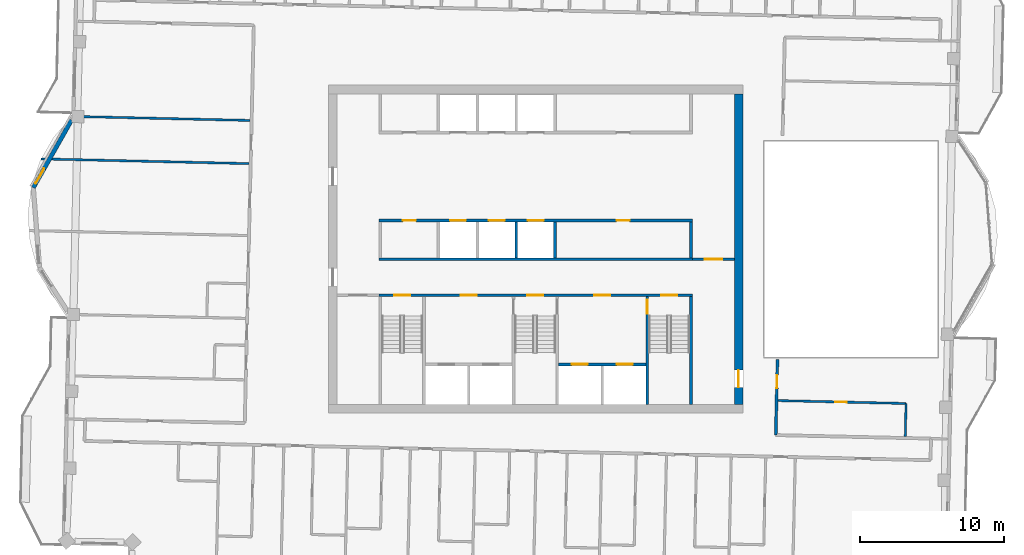
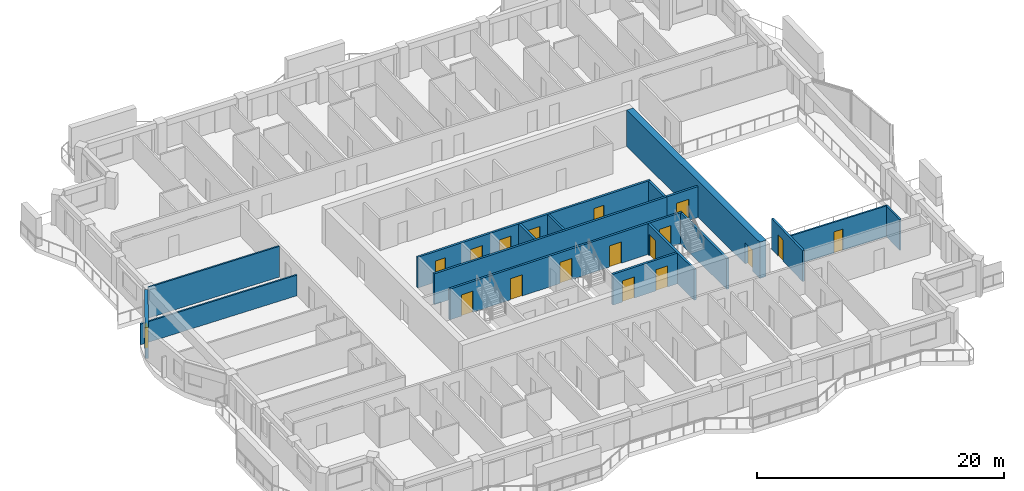
# One storey, part 7 of 15: 17 doors, 17 walls, 1 window, 18 openings.
"""IFC4 building model written with IfcOpenShell, lengths in metres."""

from ifc_helpers import new_model, si_unit, direction, frame, frame_2d, origin, place, context, subcontext, project, spatial, rectangle, extrude, material, layer, layer_set, type_object, element, fill, save


model = new_model("IFC4")

# Units and contexts
model_context = context("Model", 3, precision=1e-05, world=origin(), true_north=direction((0.0, 1.0)))
body_context = subcontext(model_context, "Body", "Model", "MODEL_VIEW")
ifc_project = project(units=[si_unit("LENGTHUNIT", "METRE"), si_unit("AREAUNIT", "SQUARE_METRE"), si_unit("VOLUMEUNIT", "CUBIC_METRE"), si_unit("PLANEANGLEUNIT", "RADIAN"), si_unit("MASSUNIT", "GRAM", prefix="KILO")], contexts=[model_context])

# Site, building, storey
site_placement = place(None, origin())
site = spatial("IfcSite", under=ifc_project, at=site_placement, CompositionType="ELEMENT")
building_placement = place(site_placement, origin())
building = spatial("IfcBuilding", under=site, at=building_placement, Name="Mangrove Gate Tower", CompositionType="ELEMENT")
storey_placement = place(building_placement, frame((0.0, 0.0, 320.5)))
storey = spatial("IfcBuildingStorey", under=building, at=storey_placement, Name="L82", CompositionType="ELEMENT", Elevation=320.5)

# Wall, opening, door
ifc_material_1 = material(Name="Concrete C32/40", Category="concrete")
ifc_layer_1 = layer(ifc_material_1, 0.199951171875)
ifc_layer_set_1 = layer_set([ifc_layer_1], Name="Core lobby wall 200 C32/40")
wall_type_1 = type_object("IfcWallType", Name="Core lobby wall 200 C32/40", PredefinedType="STANDARD", material=ifc_layer_set_1)
wall_1_placement = place(storey_placement, frame((10.89990234375, -0.699951171875, 0.0), z_axis=(0.0, 0.0, 1.0), x_axis=(1.0, 0.0, 0.0)))
wall_1 = element("IfcWall", 1, at=wall_1_placement, inside=storey, type_object=wall_type_1, Name="WALL-L82-CORE-32", PredefinedType="STANDARD", context=body_context, shape_type="SweptSolid", body=[
    extrude(rectangle(XDim=2.900146484375, YDim=0.199951171875, at=frame_2d((1.4501953125, 0.0))), origin(), (0.0, 0.0, 1.0), 3.050048828125),
])
opening_1_placement = place(wall_1_placement, frame((0.85009765625, 0.0, 0.0)))
opening_1 = element("IfcOpeningElement", 2, at=opening_1_placement, cuts=wall_1, Name="Opening FL12", PredefinedType="OPENING", context=body_context, shape_type="SweptSolid", body=[
    extrude(rectangle(XDim=1.199951171875, YDim=2.10009765625, at=frame_2d((0.60009765625, 1.050048828125))), frame((0.0, 0.10986328125, 0.0), z_axis=(0.0, -1.0, 0.0), x_axis=(1.0, 0.0, 0.0)), (0.0, 0.0, 1.0), 0.219970703125),
])
ifc_material_2 = material(Name="Fire-rated steel door set", Category="steel")
door_type_1 = type_object("IfcDoorType", Name="Lobby door FD60 1200x2100", OperationType="SINGLE_SWING_LEFT", PredefinedType="DOOR", material=ifc_material_2)
door_1_placement = place(opening_1_placement, origin())
door_1 = element("IfcDoor", 3, at=door_1_placement, inside=storey, type_object=door_type_1, Name="Lobby door core corridor E partition", OperationType="SINGLE_SWING_LEFT", OverallHeight=2.10009765625, OverallWidth=1.199951171875, PredefinedType="DOOR", context=body_context, shape_type="SweptSolid", body=[
    extrude(rectangle(XDim=1.199951171875, YDim=2.10009765625, at=frame_2d((0.60009765625, 1.050048828125))), frame((0.0, 0.02490234375, 0.0), z_axis=(0.0, -1.0, 0.0), x_axis=(1.0, 0.0, 0.0)), (0.0, 0.0, 1.0), 0.050048828125),
])
fill(opening_1, door_1)

# Walls
ifc_material_3 = material(Name="Concrete C32/40", Category="concrete")
ifc_layer_2 = layer(ifc_material_3, 0.199951171875)
ifc_layer_set_2 = layer_set([ifc_layer_2], Name="Core room wall 200 C32/40")
wall_type_2 = type_object("IfcWallType", Name="Core room wall 200 C32/40", PredefinedType="STANDARD", material=ifc_layer_set_2)
wall_2_placement = place(storey_placement, frame((10.800048828125, -0.60009765625, 0.0), z_axis=(0.0, 0.0, 1.0), x_axis=(0.0, 1.0, 0.0)))
element("IfcWall", 4, at=wall_2_placement, inside=storey, type_object=wall_type_2, Name="WALL-L82-CORE-24", PredefinedType="STANDARD", context=body_context, shape_type="SweptSolid", body=[
    extrude(rectangle(XDim=2.5, YDim=0.199951171875, at=frame_2d((1.25, 0.0))), origin(), (0.0, 0.0, 1.0), 3.050048828125),
])
ifc_material_4 = material(Name="Concrete C50/60", Category="concrete")
ifc_layer_3 = layer(ifc_material_4, 0.199951171875)
ifc_layer_set_3 = layer_set([ifc_layer_3], Name="Core shaft wall 200 C50/60")
wall_type_3 = type_object("IfcWallType", Name="Core shaft wall 200 C50/60", PredefinedType="SHEAR", material=ifc_layer_set_3)
wall_3_placement = place(storey_placement, frame((-10.89990234375, -0.699951171875, 0.0), z_axis=(0.0, 0.0, 1.0), x_axis=(1.0, 0.0, 0.0)))
element("IfcWall", 5, at=wall_3_placement, inside=storey, type_object=wall_type_3, Name="WALL-L82-CORE-6", PredefinedType="SHEAR", context=body_context, shape_type="SweptSolid", body=[
    extrude(rectangle(XDim=21.7998046875, YDim=0.199951171875, at=frame_2d((10.89990234375, 0.0))), origin(), (0.0, 0.0, 1.0), 3.050048828125),
])

# Wall, openings, doors
wall_4_placement = place(storey_placement, frame((-10.89990234375, 2.0, 0.0), z_axis=(0.0, 0.0, 1.0), x_axis=(1.0, 0.0, 0.0)))
wall_4 = element("IfcWall", 6, at=wall_4_placement, inside=storey, type_object=wall_type_3, Name="WALL-L82-CORE-7", PredefinedType="SHEAR", context=body_context, shape_type="SweptSolid", body=[
    extrude(rectangle(XDim=21.7998046875, YDim=0.199951171875, at=frame_2d((10.89990234375, 0.0))), origin(), (0.0, 0.0, 1.0), 3.050048828125),
])
opening_2_placement = place(wall_4_placement, frame((4.949951171875, 0.0, 0.0)))
opening_2 = element("IfcOpeningElement", 7, at=opening_2_placement, cuts=wall_4, Name="Opening LD", PredefinedType="OPENING", context=body_context, shape_type="SweptSolid", body=[
    extrude(rectangle(XDim=1.10009765625, YDim=2.10009765625, at=frame_2d((0.550048828125, 1.050048828125))), frame((0.0, 0.10986328125, 0.0), z_axis=(0.0, -1.0, 0.0), x_axis=(1.0, 0.0, 0.0)), (0.0, 0.0, 1.0), 0.219970703125),
])
opening_3_placement = place(wall_4_placement, frame((7.64990234375, 0.0, 0.0)))
opening_3 = element("IfcOpeningElement", 8, at=opening_3_placement, cuts=wall_4, Name="Opening LD", PredefinedType="OPENING", context=body_context, shape_type="SweptSolid", body=[
    extrude(rectangle(XDim=1.10009765625, YDim=2.10009765625, at=frame_2d((0.550048828125, 1.050048828125))), frame((0.0, 0.10986328125, 0.0), z_axis=(0.0, -1.0, 0.0), x_axis=(1.0, 0.0, 0.0)), (0.0, 0.0, 1.0), 0.219970703125),
])
opening_4_placement = place(wall_4_placement, frame((10.35009765625, 0.0, 0.0)))
opening_4 = element("IfcOpeningElement", 9, at=opening_4_placement, cuts=wall_4, Name="Opening LD", PredefinedType="OPENING", context=body_context, shape_type="SweptSolid", body=[
    extrude(rectangle(XDim=1.10009765625, YDim=2.10009765625, at=frame_2d((0.550048828125, 1.050048828125))), frame((0.0, 0.10986328125, 0.0), z_axis=(0.0, -1.0, 0.0), x_axis=(1.0, 0.0, 0.0)), (0.0, 0.0, 1.0), 0.219970703125),
])
opening_5_placement = place(wall_4_placement, frame((1.675048828125, 0.0, 0.0)))
opening_5 = element("IfcOpeningElement", 10, at=opening_5_placement, cuts=wall_4, Name="Opening KD", PredefinedType="OPENING", context=body_context, shape_type="SweptSolid", body=[
    extrude(rectangle(XDim=0.89990234375, YDim=2.10009765625, at=frame_2d((0.449951171875, 1.050048828125))), frame((0.0, 0.10986328125, 0.0), z_axis=(0.0, -1.0, 0.0), x_axis=(1.0, 0.0, 0.0)), (0.0, 0.0, 1.0), 0.219970703125),
])
opening_6_placement = place(wall_4_placement, frame((16.52490234375, 0.0, 0.0)))
opening_6 = element("IfcOpeningElement", 11, at=opening_6_placement, cuts=wall_4, Name="Opening RD", PredefinedType="OPENING", context=body_context, shape_type="SweptSolid", body=[
    extrude(rectangle(XDim=0.89990234375, YDim=2.10009765625, at=frame_2d((0.449951171875, 1.050048828125))), frame((0.0, 0.10986328125, 0.0), z_axis=(0.0, -1.0, 0.0), x_axis=(1.0, 0.0, 0.0)), (0.0, 0.0, 1.0), 0.219970703125),
])
ifc_material_5 = material(Name="Fire-rated steel door set", Category="steel")
door_type_2 = type_object("IfcDoorType", Name="Core room door FD30S 900x2100", OperationType="SINGLE_SWING_RIGHT", PredefinedType="DOOR", material=ifc_material_5)
door_2_placement = place(opening_5_placement, origin())
door_2 = element("IfcDoor", 12, at=door_2_placement, inside=storey, type_object=door_type_2, Name="Core room door Linen store", OperationType="SINGLE_SWING_RIGHT", OverallHeight=2.10009765625, OverallWidth=0.89990234375, PredefinedType="DOOR", context=body_context, shape_type="SweptSolid", body=[
    extrude(rectangle(XDim=0.89990234375, YDim=2.10009765625, at=frame_2d((0.449951171875, 1.050048828125))), frame((0.0, 0.02490234375, 0.0), z_axis=(0.0, -1.0, 0.0), x_axis=(1.0, 0.0, 0.0)), (0.0, 0.0, 1.0), 0.050048828125),
])
fill(opening_5, door_2)
ifc_material_6 = material(Name="Stainless steel 316", Category="steel")
door_type_3 = type_object("IfcDoorType", Name="Lift landing door 1100x2100", OperationType="SLIDING_TO_LEFT", PredefinedType="DOOR", material=ifc_material_6)
door_3_placement = place(opening_2_placement, origin())
door_3 = element("IfcDoor", 13, at=door_3_placement, inside=storey, type_object=door_type_3, Name="Landing door LD H01", OperationType="SLIDING_TO_LEFT", OverallHeight=2.10009765625, OverallWidth=1.10009765625, PredefinedType="DOOR", context=body_context, shape_type="SweptSolid", body=[
    extrude(rectangle(XDim=1.10009765625, YDim=2.10009765625, at=frame_2d((0.550048828125, 1.050048828125))), frame((0.0, 0.02490234375, 0.0), z_axis=(0.0, -1.0, 0.0), x_axis=(1.0, 0.0, 0.0)), (0.0, 0.0, 1.0), 0.050048828125),
])
fill(opening_2, door_3)
door_4_placement = place(opening_3_placement, origin())
door_4 = element("IfcDoor", 14, at=door_4_placement, inside=storey, type_object=door_type_3, Name="Landing door LD H02", OperationType="SLIDING_TO_LEFT", OverallHeight=2.10009765625, OverallWidth=1.10009765625, PredefinedType="DOOR", context=body_context, shape_type="SweptSolid", body=[
    extrude(rectangle(XDim=1.10009765625, YDim=2.10009765625, at=frame_2d((0.550048828125, 1.050048828125))), frame((0.0, 0.02490234375, 0.0), z_axis=(0.0, -1.0, 0.0), x_axis=(1.0, 0.0, 0.0)), (0.0, 0.0, 1.0), 0.050048828125),
])
fill(opening_3, door_4)
door_5_placement = place(opening_4_placement, origin())
door_5 = element("IfcDoor", 15, at=door_5_placement, inside=storey, type_object=door_type_3, Name="Landing door LD H03", OperationType="SLIDING_TO_LEFT", OverallHeight=2.10009765625, OverallWidth=1.10009765625, PredefinedType="DOOR", context=body_context, shape_type="SweptSolid", body=[
    extrude(rectangle(XDim=1.10009765625, YDim=2.10009765625, at=frame_2d((0.550048828125, 1.050048828125))), frame((0.0, 0.02490234375, 0.0), z_axis=(0.0, -1.0, 0.0), x_axis=(1.0, 0.0, 0.0)), (0.0, 0.0, 1.0), 0.050048828125),
])
fill(opening_4, door_5)
ifc_material_7 = material(Name="Fire-rated steel door set", Category="steel")
door_type_4 = type_object("IfcDoorType", Name="Riser door FD30S 900x2100", OperationType="SINGLE_SWING_LEFT", PredefinedType="DOOR", material=ifc_material_7)
door_6_placement = place(opening_6_placement, origin())
door_6 = element("IfcDoor", 16, at=door_6_placement, inside=storey, type_object=door_type_4, Name="Riser door Switch room", OperationType="SINGLE_SWING_LEFT", OverallHeight=2.10009765625, OverallWidth=0.89990234375, PredefinedType="DOOR", context=body_context, shape_type="SweptSolid", body=[
    extrude(rectangle(XDim=0.89990234375, YDim=2.10009765625, at=frame_2d((0.449951171875, 1.050048828125))), frame((0.0, 0.02490234375, 0.0), z_axis=(0.0, -1.0, 0.0), x_axis=(1.0, 0.0, 0.0)), (0.0, 0.0, 1.0), 0.050048828125),
])
fill(opening_6, door_6)

wall_5_placement = place(storey_placement, frame((1.60009765625, -8.0, 0.0), z_axis=(0.0, 0.0, 1.0), x_axis=(1.0, 0.0, 0.0)))
wall_5 = element("IfcWall", 17, at=wall_5_placement, inside=storey, type_object=wall_type_3, Name="WALL-L82-CORE-17", PredefinedType="SHEAR", context=body_context, shape_type="SweptSolid", body=[
    extrude(rectangle(XDim=6.0498046875, YDim=0.199951171875, at=frame_2d((3.02490234375, 0.0))), origin(), (0.0, 0.0, 1.0), 3.050048828125),
])
opening_7_placement = place(wall_5_placement, frame((0.91259765625, 0.0, 0.0)))
opening_7 = element("IfcOpeningElement", 18, at=opening_7_placement, cuts=wall_5, Name="Opening LD", PredefinedType="OPENING", context=body_context, shape_type="SweptSolid", body=[
    extrude(rectangle(XDim=1.10009765625, YDim=2.10009765625, at=frame_2d((0.550048828125, 1.050048828125))), frame((0.0, 0.10986328125, 0.0), z_axis=(0.0, -1.0, 0.0), x_axis=(1.0, 0.0, 0.0)), (0.0, 0.0, 1.0), 0.219970703125),
])
opening_8_placement = place(wall_5_placement, frame((4.03759765625, 0.0, 0.0)))
opening_8 = element("IfcOpeningElement", 19, at=opening_8_placement, cuts=wall_5, Name="Opening LD", PredefinedType="OPENING", context=body_context, shape_type="SweptSolid", body=[
    extrude(rectangle(XDim=1.10009765625, YDim=2.10009765625, at=frame_2d((0.550048828125, 1.050048828125))), frame((0.0, 0.10986328125, 0.0), z_axis=(0.0, -1.0, 0.0), x_axis=(1.0, 0.0, 0.0)), (0.0, 0.0, 1.0), 0.219970703125),
])
door_7_placement = place(opening_7_placement, origin())
door_7 = element("IfcDoor", 20, at=door_7_placement, inside=storey, type_object=door_type_3, Name="Landing door LD FFL1", OperationType="SLIDING_TO_LEFT", OverallHeight=2.10009765625, OverallWidth=1.10009765625, PredefinedType="DOOR", context=body_context, shape_type="SweptSolid", body=[
    extrude(rectangle(XDim=1.10009765625, YDim=2.10009765625, at=frame_2d((0.550048828125, 1.050048828125))), frame((0.0, 0.02490234375, 0.0), z_axis=(0.0, -1.0, 0.0), x_axis=(1.0, 0.0, 0.0)), (0.0, 0.0, 1.0), 0.050048828125),
])
fill(opening_7, door_7)
door_8_placement = place(opening_8_placement, origin())
door_8 = element("IfcDoor", 21, at=door_8_placement, inside=storey, type_object=door_type_3, Name="Landing door LD FFL2", OperationType="SLIDING_TO_LEFT", OverallHeight=2.10009765625, OverallWidth=1.10009765625, PredefinedType="DOOR", context=body_context, shape_type="SweptSolid", body=[
    extrude(rectangle(XDim=1.10009765625, YDim=2.10009765625, at=frame_2d((0.550048828125, 1.050048828125))), frame((0.0, 0.02490234375, 0.0), z_axis=(0.0, -1.0, 0.0), x_axis=(1.0, 0.0, 0.0)), (0.0, 0.0, 1.0), 0.050048828125),
])
fill(opening_8, door_8)

# Walls
for number, where, z_axis, x_axis, name in (
    (22, (-1.35009765625, -0.60009765625, 0.0), (0.0, 0.0, 1.0), (0.0, 1.0, 0.0), "WALL-L82-CORE-22"),
    (23, (1.35009765625, -0.60009765625, 0.0), (0.0, 0.0, 1.0), (0.0, 1.0, 0.0), "WALL-L82-CORE-23"),
):
    element("IfcWall", number, at=place(storey_placement, frame(where, z_axis=z_axis, x_axis=x_axis)), inside=storey, type_object=wall_type_3, Name=name, PredefinedType="SHEAR", context=body_context, shape_type="SweptSolid", body=[
        extrude(rectangle(XDim=2.5, YDim=0.199951171875, at=frame_2d((1.25, 0.0))), origin(), (0.0, 0.0, 1.0), 3.050048828125),
    ])

# Wall, openings, doors
ifc_material_8 = material(Name="Concrete C50/60", Category="concrete")
ifc_layer_4 = layer(ifc_material_8, 0.199951171875)
ifc_layer_set_4 = layer_set([ifc_layer_4], Name="Core stair wall 200 C50/60")
wall_type_4 = type_object("IfcWallType", Name="Core stair wall 200 C50/60", PredefinedType="SHEAR", material=ifc_layer_set_4)
wall_6_placement = place(storey_placement, frame((-10.89990234375, -3.199951171875, 0.0), z_axis=(0.0, 0.0, 1.0), x_axis=(1.0, 0.0, 0.0)))
wall_6 = element("IfcWall", 24, at=wall_6_placement, inside=storey, type_object=wall_type_4, Name="WALL-L82-CORE-5", PredefinedType="SHEAR", context=body_context, shape_type="SweptSolid", body=[
    extrude(rectangle(XDim=21.7998046875, YDim=0.199951171875, at=frame_2d((10.89990234375, 0.0))), origin(), (0.0, 0.0, 1.0), 3.050048828125),
])
opening_9_placement = place(wall_6_placement, frame((1.074951171875, 0.0, 0.0)))
opening_9 = element("IfcOpeningElement", 25, at=opening_9_placement, cuts=wall_6, Name="Opening STD11", PredefinedType="OPENING", context=body_context, shape_type="SweptSolid", body=[
    extrude(rectangle(XDim=1.10009765625, YDim=2.10009765625, at=frame_2d((0.550048828125, 1.050048828125))), frame((0.0, 0.10986328125, 0.0), z_axis=(0.0, -1.0, 0.0), x_axis=(1.0, 0.0, 0.0)), (0.0, 0.0, 1.0), 0.219970703125),
])
opening_10_placement = place(wall_6_placement, frame((10.324951171875, 0.0, 0.0)))
opening_10 = element("IfcOpeningElement", 26, at=opening_10_placement, cuts=wall_6, Name="Opening STD11", PredefinedType="OPENING", context=body_context, shape_type="SweptSolid", body=[
    extrude(rectangle(XDim=1.10009765625, YDim=2.10009765625, at=frame_2d((0.550048828125, 1.050048828125))), frame((0.0, 0.10986328125, 0.0), z_axis=(0.0, -1.0, 0.0), x_axis=(1.0, 0.0, 0.0)), (0.0, 0.0, 1.0), 0.219970703125),
])
opening_11_placement = place(wall_6_placement, frame((19.625, 0.0, 0.0)))
opening_11 = element("IfcOpeningElement", 27, at=opening_11_placement, cuts=wall_6, Name="Opening STD11", PredefinedType="OPENING", context=body_context, shape_type="SweptSolid", body=[
    extrude(rectangle(XDim=1.10009765625, YDim=2.10009765625, at=frame_2d((0.550048828125, 1.050048828125))), frame((0.0, 0.10986328125, 0.0), z_axis=(0.0, -1.0, 0.0), x_axis=(1.0, 0.0, 0.0)), (0.0, 0.0, 1.0), 0.219970703125),
])
opening_12_placement = place(wall_6_placement, frame((5.699951171875, 0.0, 0.0)))
opening_12 = element("IfcOpeningElement", 28, at=opening_12_placement, cuts=wall_6, Name="Opening FL", PredefinedType="OPENING", context=body_context, shape_type="SweptSolid", body=[
    extrude(rectangle(XDim=1.10009765625, YDim=2.10009765625, at=frame_2d((0.550048828125, 1.050048828125))), frame((0.0, 0.10986328125, 0.0), z_axis=(0.0, -1.0, 0.0), x_axis=(1.0, 0.0, 0.0)), (0.0, 0.0, 1.0), 0.219970703125),
])
opening_13_placement = place(wall_6_placement, frame((14.97509765625, 0.0, 0.0)))
opening_13 = element("IfcOpeningElement", 29, at=opening_13_placement, cuts=wall_6, Name="Opening FL", PredefinedType="OPENING", context=body_context, shape_type="SweptSolid", body=[
    extrude(rectangle(XDim=1.10009765625, YDim=2.10009765625, at=frame_2d((0.550048828125, 1.050048828125))), frame((0.0, 0.10986328125, 0.0), z_axis=(0.0, -1.0, 0.0), x_axis=(1.0, 0.0, 0.0)), (0.0, 0.0, 1.0), 0.219970703125),
])
ifc_material_9 = material(Name="Fire-rated steel door set", Category="steel")
door_type_5 = type_object("IfcDoorType", Name="Lobby door FD60 1100x2100", OperationType="SINGLE_SWING_LEFT", PredefinedType="DOOR", material=ifc_material_9)
door_9_placement = place(opening_12_placement, origin())
door_9 = element("IfcDoor", 30, at=door_9_placement, inside=storey, type_object=door_type_5, Name="Lobby door service lobby", OperationType="SINGLE_SWING_LEFT", OverallHeight=2.10009765625, OverallWidth=1.10009765625, PredefinedType="DOOR", context=body_context, shape_type="SweptSolid", body=[
    extrude(rectangle(XDim=1.10009765625, YDim=2.10009765625, at=frame_2d((0.550048828125, 1.050048828125))), frame((0.0, 0.02490234375, 0.0), z_axis=(0.0, -1.0, 0.0), x_axis=(1.0, 0.0, 0.0)), (0.0, 0.0, 1.0), 0.050048828125),
])
fill(opening_12, door_9)
door_10_placement = place(opening_13_placement, origin())
door_10 = element("IfcDoor", 31, at=door_10_placement, inside=storey, type_object=door_type_5, Name="Lobby door fire-fighting lobby", OperationType="SINGLE_SWING_LEFT", OverallHeight=2.10009765625, OverallWidth=1.10009765625, PredefinedType="DOOR", context=body_context, shape_type="SweptSolid", body=[
    extrude(rectangle(XDim=1.10009765625, YDim=2.10009765625, at=frame_2d((0.550048828125, 1.050048828125))), frame((0.0, 0.02490234375, 0.0), z_axis=(0.0, -1.0, 0.0), x_axis=(1.0, 0.0, 0.0)), (0.0, 0.0, 1.0), 0.050048828125),
])
fill(opening_13, door_10)
ifc_material_10 = material(Name="Fire-rated steel door set", Category="steel")
door_type_6 = type_object("IfcDoorType", Name="Stair door FD60 1100x2100", OperationType="SINGLE_SWING_RIGHT", PredefinedType="DOOR", material=ifc_material_10)
door_11_placement = place(opening_9_placement, origin())
door_11 = element("IfcDoor", 32, at=door_11_placement, inside=storey, type_object=door_type_6, Name="Stair door Stair 1", OperationType="SINGLE_SWING_RIGHT", OverallHeight=2.10009765625, OverallWidth=1.10009765625, PredefinedType="DOOR", context=body_context, shape_type="SweptSolid", body=[
    extrude(rectangle(XDim=1.10009765625, YDim=2.10009765625, at=frame_2d((0.550048828125, 1.050048828125))), frame((0.0, 0.02490234375, 0.0), z_axis=(0.0, -1.0, 0.0), x_axis=(1.0, 0.0, 0.0)), (0.0, 0.0, 1.0), 0.050048828125),
])
fill(opening_9, door_11)
door_12_placement = place(opening_10_placement, origin())
door_12 = element("IfcDoor", 33, at=door_12_placement, inside=storey, type_object=door_type_6, Name="Stair door Stair 2", OperationType="SINGLE_SWING_RIGHT", OverallHeight=2.10009765625, OverallWidth=1.10009765625, PredefinedType="DOOR", context=body_context, shape_type="SweptSolid", body=[
    extrude(rectangle(XDim=1.10009765625, YDim=2.10009765625, at=frame_2d((0.550048828125, 1.050048828125))), frame((0.0, 0.02490234375, 0.0), z_axis=(0.0, -1.0, 0.0), x_axis=(1.0, 0.0, 0.0)), (0.0, 0.0, 1.0), 0.050048828125),
])
fill(opening_10, door_12)
door_13_placement = place(opening_11_placement, origin())
door_13 = element("IfcDoor", 34, at=door_13_placement, inside=storey, type_object=door_type_6, Name="Stair door Stair 3", OperationType="SINGLE_SWING_RIGHT", OverallHeight=2.10009765625, OverallWidth=1.10009765625, PredefinedType="DOOR", context=body_context, shape_type="SweptSolid", body=[
    extrude(rectangle(XDim=1.10009765625, YDim=2.10009765625, at=frame_2d((0.550048828125, 1.050048828125))), frame((0.0, 0.02490234375, 0.0), z_axis=(0.0, -1.0, 0.0), x_axis=(1.0, 0.0, 0.0)), (0.0, 0.0, 1.0), 0.050048828125),
])
fill(opening_11, door_13)

# Wall, opening, door
wall_7_placement = place(storey_placement, frame((7.75, -10.800048828125, 0.0), z_axis=(0.0, 0.0, 1.0), x_axis=(0.0, 1.0, 0.0)))
wall_7 = element("IfcWall", 35, at=wall_7_placement, inside=storey, type_object=wall_type_4, Name="WALL-L82-CORE-13", PredefinedType="SHEAR", context=body_context, shape_type="SweptSolid", body=[
    extrude(rectangle(XDim=7.5, YDim=0.199951171875, at=frame_2d((3.75, 0.0))), origin(), (0.0, 0.0, 1.0), 3.050048828125),
])
opening_14_placement = place(wall_7_placement, frame((6.300048828125, 0.0, 0.0)))
opening_14 = element("IfcOpeningElement", 36, at=opening_14_placement, cuts=wall_7, Name="Opening STD10", PredefinedType="OPENING", context=body_context, shape_type="SweptSolid", body=[
    extrude(rectangle(XDim=1.0, YDim=2.10009765625, at=frame_2d((0.5, 1.050048828125))), frame((0.0, 0.10986328125, 0.0), z_axis=(0.0, -1.0, 0.0), x_axis=(1.0, 0.0, 0.0)), (0.0, 0.0, 1.0), 0.219970703125),
])
ifc_material_11 = material(Name="Fire-rated steel door set", Category="steel")
door_type_7 = type_object("IfcDoorType", Name="Stair door FD60 1000x2100", OperationType="SINGLE_SWING_RIGHT", PredefinedType="DOOR", material=ifc_material_11)
door_14_placement = place(opening_14_placement, origin())
door_14 = element("IfcDoor", 37, at=door_14_placement, inside=storey, type_object=door_type_7, Name="Stair door Stair 3 from fire-fighting lobby", OperationType="SINGLE_SWING_RIGHT", OverallHeight=2.10009765625, OverallWidth=1.0, PredefinedType="DOOR", context=body_context, shape_type="SweptSolid", body=[
    extrude(rectangle(XDim=1.0, YDim=2.10009765625, at=frame_2d((0.5, 1.050048828125))), frame((0.0, 0.02490234375, 0.0), z_axis=(0.0, -1.0, 0.0), x_axis=(1.0, 0.0, 0.0)), (0.0, 0.0, 1.0), 0.050048828125),
])
fill(opening_14, door_14)

# Wall
wall_8_placement = place(storey_placement, frame((10.800048828125, -10.800048828125, 0.0), z_axis=(0.0, 0.0, 1.0), x_axis=(0.0, 1.0, 0.0)))
element("IfcWall", 38, at=wall_8_placement, inside=storey, type_object=wall_type_4, Name="WALL-L82-CORE-14", PredefinedType="SHEAR", context=body_context, shape_type="SweptSolid", body=[
    extrude(rectangle(XDim=7.5, YDim=0.199951171875, at=frame_2d((3.75, 0.0))), origin(), (0.0, 0.0, 1.0), 3.050048828125),
])

# Wall, opening, door
ifc_material_12 = material(Name="Concrete C50/60", Category="concrete")
ifc_layer_5 = layer(ifc_material_12, 0.60009765625)
ifc_layer_set_5 = layer_set([ifc_layer_5], Name="Core wall 600 C50/60")
wall_type_5 = type_object("IfcWallType", Name="Core wall 600 C50/60", PredefinedType="SHEAR", material=ifc_layer_set_5)
wall_9_placement = place(storey_placement, frame((14.10009765625, -10.800048828125, 0.0), z_axis=(0.0, 0.0, 1.0), x_axis=(0.0, 1.0, 0.0)))
wall_9 = element("IfcWall", 39, at=wall_9_placement, inside=storey, type_object=wall_type_5, Name="WALL-L82-CORE-4", PredefinedType="SHEAR", context=body_context, shape_type="SweptSolid", body=[
    extrude(rectangle(XDim=21.60009765625, YDim=0.60009765625, at=frame_2d((10.800048828125, 0.0))), origin(), (0.0, 0.0, 1.0), 3.60009765625),
])
opening_15_placement = place(wall_9_placement, frame((1.199951171875, 0.0, 0.0)))
opening_15 = element("IfcOpeningElement", 40, at=opening_15_placement, cuts=wall_9, Name="Opening CD", PredefinedType="OPENING", context=body_context, shape_type="SweptSolid", body=[
    extrude(rectangle(XDim=1.199951171875, YDim=2.10009765625, at=frame_2d((0.60009765625, 1.050048828125))), frame((0.0, 0.31005859375, 0.0), z_axis=(0.0, -1.0, 0.0), x_axis=(1.0, 0.0, 0.0)), (0.0, 0.0, 1.0), 0.6201171875),
])
ifc_material_13 = material(Name="Fire-rated steel door set", Category="steel")
door_type_8 = type_object("IfcDoorType", Name="Core ring door FD60 1200x2100", OperationType="DOUBLE_DOOR_SINGLE_SWING", PredefinedType="DOOR", material=ifc_material_13)
door_15_placement = place(opening_15_placement, origin())
door_15 = element("IfcDoor", 41, at=door_15_placement, inside=storey, type_object=door_type_8, Name="Core ring door E1", OperationType="DOUBLE_DOOR_SINGLE_SWING", OverallHeight=2.10009765625, OverallWidth=1.199951171875, PredefinedType="DOOR", context=body_context, shape_type="SweptSolid", body=[
    extrude(rectangle(XDim=1.199951171875, YDim=2.10009765625, at=frame_2d((0.60009765625, 1.050048828125))), frame((0.0, 0.02490234375, 0.0), z_axis=(0.0, -1.0, 0.0), x_axis=(1.0, 0.0, 0.0)), (0.0, 0.0, 1.0), 0.050048828125),
])
fill(opening_15, door_15)

ifc_material_14 = material(Name="Gypsum board on steel stud, EI 60", Category="steel")
ifc_layer_6 = layer(ifc_material_14, 0.199951171875)
ifc_layer_set_6 = layer_set([ifc_layer_6], Name="Corridor wall EI 60")
wall_type_6 = type_object("IfcWallType", Name="Corridor wall EI 60", PredefinedType="PARTITIONING", material=ifc_layer_set_6)
wall_10_placement = place(storey_placement, frame((16.68408203125, -12.9189453125, 0.0), z_axis=(0.0, 0.0, 1.0), x_axis=(0.022667483124, 0.999743059595, 0.0)))
wall_10 = element("IfcWall", 42, at=wall_10_placement, inside=storey, type_object=wall_type_6, Name="WALL-L82-038", PredefinedType="PARTITIONING", context=body_context, shape_type="SweptSolid", body=[
    extrude(rectangle(XDim=5.245361328125, YDim=0.199951171875, at=frame_2d((2.62255859375, 0.0))), origin(), (0.0, 0.0, 1.0), 3.050048828125),
])
opening_16_placement = place(wall_10_placement, frame((3.27001953125, 0.0, 0.0)))
opening_16 = element("IfcOpeningElement", 43, at=opening_16_placement, cuts=wall_10, Name="Opening BD", PredefinedType="OPENING", context=body_context, shape_type="SweptSolid", body=[
    extrude(rectangle(XDim=0.89990234375, YDim=2.10009765625, at=frame_2d((0.449951171875, 1.050048828125))), frame((0.0, 0.10986328125, 0.0), z_axis=(0.0, -1.0, 0.0), x_axis=(1.0, 0.0, 0.0)), (0.0, 0.0, 1.0), 0.219970703125),
])
ifc_material_15 = material(Name="Timber door leaf", Category="wood")
door_type_9 = type_object("IfcDoorType", Name="Bedroom door 900", OperationType="SINGLE_SWING_LEFT", PredefinedType="DOOR", material=ifc_material_15)
door_16_placement = place(opening_16_placement, origin())
door_16 = element("IfcDoor", 44, at=door_16_placement, inside=storey, type_object=door_type_9, Name="DOOR-L82-BED-c310", OperationType="SINGLE_SWING_RIGHT", OverallHeight=2.10009765625, OverallWidth=0.89990234375, PredefinedType="DOOR", context=body_context, shape_type="SweptSolid", body=[
    extrude(rectangle(XDim=0.89990234375, YDim=2.10009765625, at=frame_2d((0.449951171875, 1.050048828125))), frame((0.0, 0.02490234375, 0.0), z_axis=(0.0, -1.0, 0.0), x_axis=(1.0, 0.0, 0.0)), (0.0, 0.0, 1.0), 0.050048828125),
])
fill(opening_16, door_16)

# Wall, opening, window
ifc_material_16 = material(Name="Limestone", Category="masonry")
ifc_layer_7 = layer(ifc_material_16, 0.0400390625, Name="Limestone cladding")
ifc_material_17 = material(Name="Ventilated air gap")
ifc_layer_8 = layer(ifc_material_17, 0.0400390625, Name="Ventilated cavity")
ifc_material_18 = material(Name="Mineral wool insulation")
ifc_layer_9 = layer(ifc_material_18, 0.06005859375, Name="Insulation")
ifc_material_19 = material(Name="Breather membrane")
ifc_layer_10 = layer(ifc_material_19, 0.001953125, Name="Breather membrane")
ifc_material_20 = material(Name="Concrete C20/25 blockwork", Category="masonry")
ifc_layer_11 = layer(ifc_material_20, 0.14990234375, Name="Blockwork backing wall")
ifc_material_21 = material(Name="Gypsum plaster")
ifc_layer_12 = layer(ifc_material_21, 0.008056640625, Name="Internal plaster")
ifc_layer_set_7 = layer_set([ifc_layer_7, ifc_layer_8, ifc_layer_9, ifc_layer_10, ifc_layer_11, ifc_layer_12], Name="External wall 300 limestone cladding")
wall_type_7 = type_object("IfcWallType", Name="External wall 300 limestone cladding", PredefinedType="SOLIDWALL", material=ifc_layer_set_7)
wall_11_placement = place(storey_placement, frame((-32.251953125, 8.97802734375, 0.0), z_axis=(0.0, 0.0, 1.0), x_axis=(-0.492554919955, -0.870281363025, 0.0)))
wall_11 = element("IfcWall", 45, at=wall_11_placement, inside=storey, type_object=wall_type_7, Name="WALL-L82-W9f1", PredefinedType="SOLIDWALL", context=body_context, shape_type="SweptSolid", body=[
    extrude(rectangle(XDim=5.398193359375, YDim=0.300048828125, at=frame_2d((2.69921875, 0.0))), origin(), (0.0, 0.0, 1.0), 3.050048828125),
])
opening_17_placement = place(wall_11_placement, frame((3.881103515625, 0.0, 0.89990234375)))
opening_17 = element("IfcOpeningElement", 46, at=opening_17_placement, cuts=wall_11, Name="Opening W1", PredefinedType="OPENING", context=body_context, shape_type="SweptSolid", body=[
    extrude(rectangle(XDim=1.199951171875, YDim=1.5, at=frame_2d((0.60009765625, 0.75))), frame((0.0, 0.159912109375, 0.0), z_axis=(0.0, -1.0, 0.0), x_axis=(1.0, 0.0, 0.0)), (0.0, 0.0, 1.0), 0.320068359375),
])
ifc_material_22 = material(Name="Aluminium frame with double-glazed low-e glass", Category="aluminium")
window_type = type_object("IfcWindowType", Name="Side lite 1200x1500", PartitioningType="SINGLE_PANEL", PredefinedType="WINDOW", material=ifc_material_22)
window_placement = place(opening_17_placement, origin())
window = element("IfcWindow", 47, at=window_placement, inside=storey, type_object=window_type, Name="WIN-L82-W9f1", OverallHeight=1.5, OverallWidth=1.199951171875, PartitioningType="SINGLE_PANEL", PredefinedType="WINDOW", context=body_context, shape_type="SweptSolid", body=[
    extrude(rectangle(XDim=1.199951171875, YDim=1.5, at=frame_2d((0.60009765625, 0.75))), frame((0.0, 0.030029296875, 0.0), z_axis=(0.0, -1.0, 0.0), x_axis=(1.0, 0.0, 0.0)), (0.0, 0.0, 1.0), 0.06005859375),
])
fill(opening_17, window)

# Wall
ifc_material_23 = material(Name="Gypsum board on steel stud, EI 60", Category="steel")
ifc_layer_13 = layer(ifc_material_23, 0.14990234375)
ifc_layer_set_8 = layer_set([ifc_layer_13], Name="Party wall 150 EI 60")
wall_type_8 = type_object("IfcWallType", Name="Party wall 150 EI 60", PredefinedType="PARTITIONING", material=ifc_layer_set_8)
wall_12_placement = place(storey_placement, frame((25.68408203125, -13.02294921875, 0.0), z_axis=(0.0, 0.0, 1.0), x_axis=(0.022603288534, 0.999744513037, 0.0)))
element("IfcWall", 48, at=wall_12_placement, inside=storey, type_object=wall_type_8, Name="WALL-L82-039", PredefinedType="PARTITIONING", context=body_context, shape_type="SweptSolid", body=[
    extrude(rectangle(XDim=2.300537109375, YDim=0.14990234375, at=frame_2d((1.150390625, 0.0))), origin(), (0.0, 0.0, 1.0), 3.050048828125),
])

# Wall, opening, door
wall_13_placement = place(storey_placement, frame((16.833984375, -10.52099609375, 0.0), z_axis=(0.0, 0.0, 1.0), x_axis=(0.999742599783, -0.022687753966, 0.0)))
wall_13 = element("IfcWall", 49, at=wall_13_placement, inside=storey, type_object=wall_type_8, Name="WALL-L82-041", PredefinedType="PARTITIONING", context=body_context, shape_type="SweptSolid", body=[
    extrude(rectangle(XDim=8.899169921875, YDim=0.14990234375, at=frame_2d((4.44970703125, 0.0))), origin(), (0.0, 0.0, 1.0), 3.050048828125),
])
opening_18_placement = place(wall_13_placement, frame((4.0, 0.0, 0.0)))
opening_18 = element("IfcOpeningElement", 50, at=opening_18_placement, cuts=wall_13, Name="Opening ED", PredefinedType="OPENING", context=body_context, shape_type="SweptSolid", body=[
    extrude(rectangle(XDim=0.800048828125, YDim=2.10009765625, at=frame_2d((0.39990234375, 1.050048828125))), frame((0.0, 0.0849609375, 0.0), z_axis=(0.0, -1.0, 0.0), x_axis=(1.0, 0.0, 0.0)), (0.0, 0.0, 1.0), 0.169921875),
])
ifc_material_24 = material(Name="Timber door leaf", Category="wood")
door_type_10 = type_object("IfcDoorType", Name="En-suite door 800", OperationType="SINGLE_SWING_LEFT", PredefinedType="DOOR", material=ifc_material_24)
door_17_placement = place(opening_18_placement, origin())
door_17 = element("IfcDoor", 51, at=door_17_placement, inside=storey, type_object=door_type_10, Name="DOOR-L82-ENS-c310", OperationType="SINGLE_SWING_RIGHT", OverallHeight=2.10009765625, OverallWidth=0.800048828125, PredefinedType="DOOR", context=body_context, shape_type="SweptSolid", body=[
    extrude(rectangle(XDim=0.800048828125, YDim=2.10009765625, at=frame_2d((0.39990234375, 1.050048828125))), frame((0.0, 0.02490234375, 0.0), z_axis=(0.0, -1.0, 0.0), x_axis=(1.0, 0.0, 0.0)), (0.0, 0.0, 1.0), 0.050048828125),
])
fill(opening_18, door_17)

# Walls
wall_14_placement = place(storey_placement, frame((-34.37109375, 6.27490234375, 0.0), z_axis=(0.0, 0.0, 1.0), x_axis=(0.999741635135, -0.022730221665, 0.0)))
element("IfcWall", 52, at=wall_14_placement, inside=storey, type_object=wall_type_8, Name="WALL-L82-049", PredefinedType="PARTITIONING", context=body_context, shape_type="SweptSolid", body=[
    extrude(rectangle(XDim=14.4677734375, YDim=0.14990234375, at=frame_2d((7.23388671875, 0.0))), origin(), (0.0, 0.0, 1.0), 2.050048828125),
])
wall_15_placement = place(storey_placement, frame((-31.93603515625, 9.219970703125, 0.0), z_axis=(0.0, 0.0, 1.0), x_axis=(0.9997437175, -0.02263844782, 0.0)))
element("IfcWall", 53, at=wall_15_placement, inside=storey, type_object=wall_type_8, Name="WALL-L82-051", PredefinedType="PARTITIONING", context=body_context, shape_type="SweptSolid", body=[
    extrude(rectangle(XDim=12.10009765625, YDim=0.14990234375, at=frame_2d((6.050048828125, 0.0))), origin(), (0.0, 0.0, 1.0), 3.050048828125),
])

save(model, "model.ifc")
